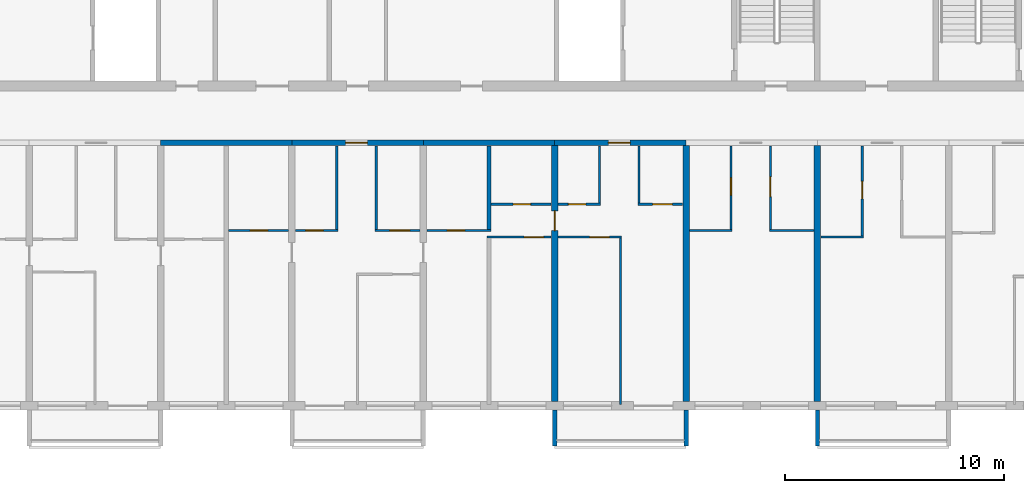
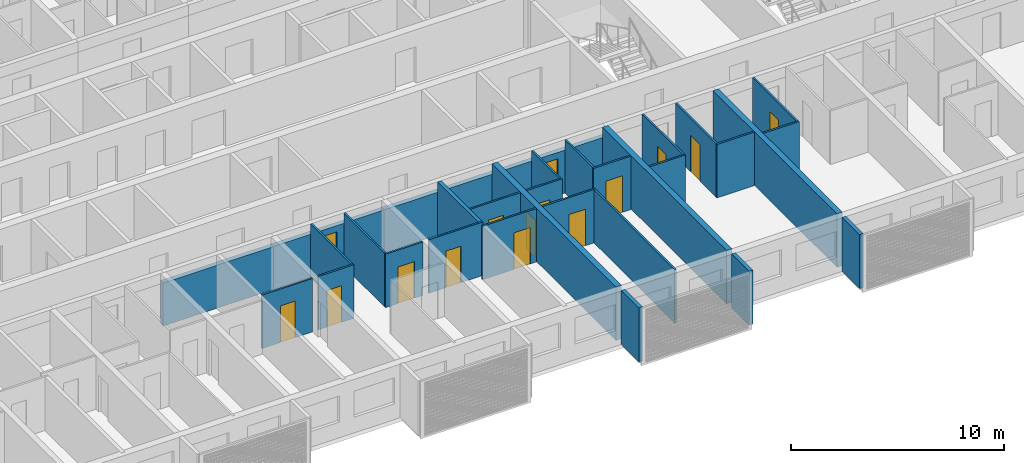
# One storey, part 5 of 32: 31 walls, 15 doors, 15 openings.
"""IFC4 building model written with IfcOpenShell, lengths in metres."""

import ifcopenshell
import ifcopenshell.guid

model = None  # the IFC model being written
_history = None  # IfcOwnerHistory: only IFC2X3 demands one
_inside = {}  # id of a spatial element -> (the spatial element, [elements in it])
_under = {}  # id of a project, library or spatial element -> (it, [spatial elements below it])
_declared = {}  # id of a project -> (the project, [libraries it declares])
_typed = {}  # id of a type object -> (the type object, [elements of that type])
_made_of = {}  # id of a material, layer set ... -> (it, [elements and type objects made of it])


def new_model(schema):
    """Start an empty IFC model of exactly this schema.

    Asked for "IFC4X3", IfcOpenShell would pick the latest addendum, in which some entities
    have other attributes; the version numbers below select the first issue.
    IFC2X3 requires an IfcOwnerHistory on every rooted entity: one is made here for all.
    """
    global model, _history
    if schema == "IFC4X3":
        model = ifcopenshell.file(schema_version=(4, 3, 0, 0))
    else:
        model = ifcopenshell.file(schema=schema)
    _inside.clear()
    _under.clear()
    _declared.clear()
    _typed.clear()
    _made_of.clear()
    _history = None
    if model.schema == "IFC2X3":
        org = make("IfcOrganization", Name="unknown")
        user = make(
            "IfcPersonAndOrganization",
            ThePerson=make("IfcPerson", FamilyName="unknown"),
            TheOrganization=org,
        )
        app = make(
            "IfcApplication",
            ApplicationDeveloper=org,
            Version="unknown",
            ApplicationFullName="unknown",
            ApplicationIdentifier="unknown",
        )
        _history = make(
            "IfcOwnerHistory",
            OwningUser=user,
            OwningApplication=app,
            ChangeAction="ADDED",
            CreationDate=0,
        )
    return model


def make(cls, **values):
    """One entity of the class cls with the attributes given. An attribute that is None is left unset."""
    return model.create_entity(
        cls, **{name: value for name, value in values.items() if value is not None}
    )


def rooted(cls, **values):
    """An entity with a GlobalId (a new one), such as an element, a storey or a relation."""
    return make(cls, GlobalId=ifcopenshell.guid.new(), OwnerHistory=_history, **values)


def si_unit(unit_type, name, prefix=None):
    """IfcSIUnit, for example si_unit("LENGTHUNIT", "METRE", prefix="MILLI")."""
    return make("IfcSIUnit", UnitType=unit_type, Prefix=prefix, Name=name)


def assignment(units):
    """IfcUnitAssignment: the units of a project."""
    return None if units is None else make("IfcUnitAssignment", Units=units)


def point(xyz):
    """IfcCartesianPoint."""
    return None if xyz is None else make("IfcCartesianPoint", Coordinates=xyz)


def direction(xyz):
    """IfcDirection."""
    return None if xyz is None else make("IfcDirection", DirectionRatios=xyz)


def frame(location, z_axis=None, x_axis=None):
    """IfcAxis2Placement3D, a coordinate frame: its origin and axes. An axis left out is left unset."""
    return make(
        "IfcAxis2Placement3D",
        Location=point(location),
        Axis=direction(z_axis),
        RefDirection=direction(x_axis),
    )


def frame_2d(location, x_axis=None):
    """IfcAxis2Placement2D, a coordinate frame in the plane: its origin and x axis."""
    return make(
        "IfcAxis2Placement2D", Location=point(location), RefDirection=direction(x_axis)
    )


def origin():
    """The frame at (0, 0, 0) with its axes left unset."""
    return frame((0.0, 0.0, 0.0))


def place(relative_to, where):
    """IfcLocalPlacement: puts the frame where relative to a parent placement (None: the world)."""
    return make(
        "IfcLocalPlacement", PlacementRelTo=relative_to, RelativePlacement=where
    )


def context(
    kind, dimensions, precision=None, world=None, true_north=None, identifier=None
):
    """IfcGeometricRepresentationContext, for example the 3D "Model" context."""
    return make(
        "IfcGeometricRepresentationContext",
        ContextIdentifier=identifier,
        ContextType=kind,
        CoordinateSpaceDimension=dimensions,
        Precision=precision,
        WorldCoordinateSystem=world,
        TrueNorth=true_north,
    )


def subcontext(parent, identifier, kind, view, scale=None):
    """IfcGeometricRepresentationSubContext, for example "Body" below "Model"."""
    return make(
        "IfcGeometricRepresentationSubContext",
        ContextIdentifier=identifier,
        ContextType=kind,
        ParentContext=parent,
        TargetScale=scale,
        TargetView=view,
    )


def project(units=None, contexts=None):
    """IfcProject with its units and contexts."""
    return rooted(
        "IfcProject",
        Name="project",
        RepresentationContexts=contexts,
        UnitsInContext=assignment(units),
    )


def spatial(cls, under=None, at=None, **own):
    """A site, building, storey or space (cls), placed at a placement, below another one or the project."""
    s = rooted(cls, ObjectPlacement=at, **own)
    if under is not None:
        _under.setdefault(under.id(), (under, []))[1].append(s)
    return s


def polyline(points):
    """IfcPolyline through the points."""
    return make("IfcPolyline", Points=[point(p) for p in points])


def profile(cls, at=None, kind="AREA", **sizes):
    """A parametric profile (cls). Its sizes go by their IFC names, for example OverallWidth=200.0."""
    return make(cls, ProfileType=kind, Position=at, **sizes)


def rectangle(**sizes):
    """IfcRectangleProfileDef."""
    return profile("IfcRectangleProfileDef", **sizes)


def outline(outer, holes=None, kind="AREA"):
    """IfcArbitraryClosedProfileDef: a profile drawn as a closed curve; with holes, ...WithVoids."""
    if holes is None:
        return make("IfcArbitraryClosedProfileDef", ProfileType=kind, OuterCurve=outer)
    return make(
        "IfcArbitraryProfileDefWithVoids",
        ProfileType=kind,
        OuterCurve=outer,
        InnerCurves=holes,
    )


def extrude(swept, where, along, depth):
    """IfcExtrudedAreaSolid: the profile swept, set in the frame where, extruded along a direction by depth."""
    return make(
        "IfcExtrudedAreaSolid",
        SweptArea=swept,
        Position=where,
        ExtrudedDirection=direction(along),
        Depth=depth,
    )


def shape(context_of_items, identifier, shape_type, items):
    """IfcShapeRepresentation: the items that make up one representation, for example the "Body"."""
    return make(
        "IfcShapeRepresentation",
        ContextOfItems=context_of_items,
        RepresentationIdentifier=identifier,
        RepresentationType=shape_type,
        Items=items,
    )


def source(mapping_origin, context_of_items, identifier, shape_type, items):
    """IfcRepresentationMap: a shape defined once, which mapped items show again and again."""
    return make(
        "IfcRepresentationMap",
        MappingOrigin=mapping_origin,
        MappedRepresentation=shape(context_of_items, identifier, shape_type, items),
    )


def transform(
    local_origin,
    x_axis=None,
    y_axis=None,
    z_axis=None,
    scale=None,
    scale2=None,
    scale3=None,
    uniform=True,
):
    """IfcCartesianTransformationOperator3D, or its non-uniform kind. x_axis, y_axis, z_axis: its Axis1, 2, 3."""
    if uniform:
        return make(
            "IfcCartesianTransformationOperator3D",
            Axis1=direction(x_axis),
            Axis2=direction(y_axis),
            LocalOrigin=point(local_origin),
            Scale=scale,
            Axis3=direction(z_axis),
        )
    return make(
        "IfcCartesianTransformationOperator3DnonUniform",
        Axis1=direction(x_axis),
        Axis2=direction(y_axis),
        LocalOrigin=point(local_origin),
        Scale=scale,
        Axis3=direction(z_axis),
        Scale2=scale2,
        Scale3=scale3,
    )


def mapped(mapping_source, mapping_target):
    """IfcMappedItem: shows the shape of a source again, moved by a transform."""
    return make(
        "IfcMappedItem", MappingSource=mapping_source, MappingTarget=mapping_target
    )


def material(Name=None, Category=None):
    """IfcMaterial."""
    return make("IfcMaterial", Name=Name, Category=Category)


def layer(
    of_material, thickness, ventilated=None, Name=None, Category=None, Priority=None
):
    """IfcMaterialLayer: one layer of a wall or slab, of a material (None: an air gap)."""
    return make(
        "IfcMaterialLayer",
        Material=of_material,
        LayerThickness=thickness,
        IsVentilated=ventilated,
        Name=Name,
        Category=Category,
        Priority=Priority,
    )


def layer_set(layers, Name=None):
    """IfcMaterialLayerSet."""
    return make("IfcMaterialLayerSet", MaterialLayers=layers, LayerSetName=Name)


def made_of(thing, what):
    """Note that an element or type object is made of a material, layer set ...; save() writes the relation."""
    if what is not None:
        _made_of.setdefault(what.id(), (what, []))[1].append(thing)
    return thing


def type_object(cls, material=None, **own):
    """A type object (cls), such as IfcWallType, which elements share."""
    return made_of(rooted(cls, **own), material)


def element(
    cls,
    number,
    at=None,
    inside=None,
    cuts=None,
    type_object=None,
    material=None,
    context=None,
    identifier="Body",
    shape_type=None,
    held_by="IfcProductDefinitionShape",
    body=None,
    shapes=None,
    **own,
):
    """One element of the class cls, such as IfcWall. Its Tag is "e" and its number.

    at: its placement. inside: the storey or other place that contains it. cuts: it is an
    opening in that element (IfcRelVoidsElement). A single representation is given by context,
    identifier, shape_type and body (its items); several are given by shapes. held_by: the class
    of the entity that holds the representations. save() writes the other relations.
    """
    e = rooted(cls, Tag="e%d" % number, ObjectPlacement=at, **own)
    if body is not None:
        shapes = [shape(context, identifier, shape_type, body)]
    if shapes is not None:
        e.Representation = make(held_by, Representations=shapes)
    if inside is not None:
        _inside.setdefault(inside.id(), (inside, []))[1].append(e)
    if cuts is not None:
        rooted(
            "IfcRelVoidsElement", RelatingBuildingElement=cuts, RelatedOpeningElement=e
        )
    if type_object is not None:
        _typed.setdefault(type_object.id(), (type_object, []))[1].append(e)
    return made_of(e, material)


def fill(opening, filler):
    """IfcRelFillsElement: the door or window that sits in an opening."""
    return rooted(
        "IfcRelFillsElement",
        RelatingOpeningElement=opening,
        RelatedBuildingElement=filler,
    )


def aggregate(whole, parts):
    """IfcRelAggregates: a whole, such as a stair, and the parts it consists of."""
    return rooted("IfcRelAggregates", RelatingObject=whole, RelatedObjects=parts)


def save(model, path):
    """Write the relations noted so far, then the file.

    IfcRelAggregates (storeys below a building ...), IfcRelContainedInSpatialStructure (elements
    in a storey), IfcRelDefinesByType, IfcRelAssociatesMaterial and IfcRelDeclares: one each for
    every whole, place, type object, material and project.
    """
    for whole, parts in _under.values():
        aggregate(whole, parts)
    for where, things in _inside.values():
        rooted(
            "IfcRelContainedInSpatialStructure",
            RelatedElements=things,
            RelatingStructure=where,
        )
    for kind, things in _typed.values():
        rooted("IfcRelDefinesByType", RelatedObjects=things, RelatingType=kind)
    for what, things in _made_of.values():
        rooted("IfcRelAssociatesMaterial", RelatedObjects=things, RelatingMaterial=what)
    for by, libraries in _declared.values():
        rooted("IfcRelDeclares", RelatingContext=by, RelatedDefinitions=libraries)
    model.write(path)


model = new_model("IFC4")

# Units and contexts
model_context = context("Model", 3, precision=1e-05, world=origin(), true_north=direction((0.0, 1.0)))
body_context = subcontext(model_context, "Body", "Model", "MODEL_VIEW")
ifc_project = project(units=[si_unit("LENGTHUNIT", "METRE"), si_unit("AREAUNIT", "SQUARE_METRE"), si_unit("VOLUMEUNIT", "CUBIC_METRE"), si_unit("PLANEANGLEUNIT", "RADIAN"), si_unit("MASSUNIT", "GRAM", prefix="KILO")], contexts=[model_context])

# Site, building, storey
site_placement = place(None, origin())
site = spatial("IfcSite", under=ifc_project, at=site_placement, CompositionType="ELEMENT")
building_placement = place(site_placement, origin())
building = spatial("IfcBuilding", under=site, at=building_placement, Name="Poui Terraces", CompositionType="ELEMENT")
storey_placement = place(building_placement, frame((0.0, 0.0, 152.10009765625)))
storey = spatial("IfcBuildingStorey", under=building, at=storey_placement, Name="L42", CompositionType="ELEMENT", Elevation=152.10009765625)

# Wall
ifc_material_1 = material(Name="Concrete 65 MPa", Category="concrete")
ifc_layer_1 = layer(ifc_material_1, 0.25)
ifc_layer_set_1 = layer_set([ifc_layer_1], Name="Concrete 65 MPa")
wall_type_1 = type_object("IfcWallType", Name="CORRIDOR WALL 250 65MPa", PredefinedType="SHEAR", material=ifc_layer_set_1)
wall_1_placement = place(storey_placement, frame((42.0, 12.0, 0.0), z_axis=(0.0, 0.0, 1.0), x_axis=(1.0, 0.0, 0.0)))
element("IfcWall", 1, at=wall_1_placement, inside=storey, type_object=wall_type_1, Name="CORRIDOR WALL LINE B BAY 6", PredefinedType="SHEAR", context=body_context, shape_type="SweptSolid", body=[
    extrude(rectangle(XDim=6.0, YDim=0.25, at=frame_2d((3.0, 0.0))), origin(), (0.0, 0.0, 1.0), 2.469970703125),
])

# Wall, opening, door
wall_2_placement = place(storey_placement, frame((48.0, 12.0, 0.0), z_axis=(0.0, 0.0, 1.0), x_axis=(1.0, 0.0, 0.0)))
wall_2 = element("IfcWall", 2, at=wall_2_placement, inside=storey, type_object=wall_type_1, Name="CORRIDOR WALL LINE B BAY 7", PredefinedType="SHEAR", context=body_context, shape_type="SweptSolid", body=[
    extrude(rectangle(XDim=6.0, YDim=0.25, at=frame_2d((3.0, 0.0))), origin(), (0.0, 0.0, 1.0), 2.469970703125),
])
opening_1_placement = place(wall_2_placement, frame((2.449951171875, 0.0, 0.0)))
opening_1 = element("IfcOpeningElement", 3, at=opening_1_placement, cuts=wall_2, Name="Opening FD30S", PredefinedType="OPENING", context=body_context, shape_type="SweptSolid", body=[
    extrude(rectangle(XDim=1.0, YDim=2.10009765625, at=frame_2d((0.5, 1.050048828125))), frame((0.0, 0.135009765625, 0.0), z_axis=(0.0, -1.0, 0.0), x_axis=(1.0, 0.0, 0.0)), (0.0, 0.0, 1.0), 0.27001953125),
])
ifc_material_2 = material(Name="Steel fire door", Category="steel")
door_type_1 = type_object("IfcDoorType", Name="FLAT ENTRANCE DOOR 1000 X 2100", OperationType="NOTDEFINED", PredefinedType="DOOR", material=ifc_material_2)
door_1_placement = place(opening_1_placement, frame((1.0, 0.0, 0.0), z_axis=(0.0, 0.0, 1.0), x_axis=(-1.0, 0.0, 0.0)))
door_1 = element("IfcDoor", 4, at=door_1_placement, inside=storey, type_object=door_type_1, Name="FLAT ENTRANCE DOOR 097", OperationType="SINGLE_SWING_RIGHT", OverallHeight=2.10009765625, OverallWidth=1.0, PredefinedType="DOOR", context=body_context, shape_type="SweptSolid", body=[
    extrude(rectangle(XDim=1.0, YDim=2.10009765625, at=frame_2d((0.5, 1.050048828125))), frame((0.0, 0.02490234375, 0.0), z_axis=(0.0, -1.0, 0.0), x_axis=(1.0, 0.0, 0.0)), (0.0, 0.0, 1.0), 0.050048828125),
])
fill(opening_1, door_1)

# Wall
wall_3_placement = place(storey_placement, frame((54.0, 12.0, 0.0), z_axis=(0.0, 0.0, 1.0), x_axis=(1.0, 0.0, 0.0)))
element("IfcWall", 5, at=wall_3_placement, inside=storey, type_object=wall_type_1, Name="CORRIDOR WALL LINE B BAY 8", PredefinedType="SHEAR", context=body_context, shape_type="SweptSolid", body=[
    extrude(rectangle(XDim=6.0, YDim=0.25, at=frame_2d((3.0, 0.0))), origin(), (0.0, 0.0, 1.0), 2.469970703125),
])

# Wall, opening, door
wall_4_placement = place(storey_placement, frame((60.0, 12.0, 0.0), z_axis=(0.0, 0.0, 1.0), x_axis=(1.0, 0.0, 0.0)))
wall_4 = element("IfcWall", 6, at=wall_4_placement, inside=storey, type_object=wall_type_1, Name="CORRIDOR WALL LINE B BAY 9", PredefinedType="SHEAR", context=body_context, shape_type="SweptSolid", body=[
    extrude(rectangle(XDim=6.0, YDim=0.25, at=frame_2d((3.0, 0.0))), origin(), (0.0, 0.0, 1.0), 2.469970703125),
])
opening_2_placement = place(wall_4_placement, frame((2.449951171875, 0.0, 0.0)))
opening_2 = element("IfcOpeningElement", 7, at=opening_2_placement, cuts=wall_4, Name="Opening FD30S", PredefinedType="OPENING", context=body_context, shape_type="SweptSolid", body=[
    extrude(rectangle(XDim=1.0, YDim=2.10009765625, at=frame_2d((0.5, 1.050048828125))), frame((0.0, 0.135009765625, 0.0), z_axis=(0.0, -1.0, 0.0), x_axis=(1.0, 0.0, 0.0)), (0.0, 0.0, 1.0), 0.27001953125),
])
door_2_placement = place(opening_2_placement, frame((1.0, 0.0, 0.0), z_axis=(0.0, 0.0, 1.0), x_axis=(-1.0, 0.0, 0.0)))
door_2 = element("IfcDoor", 8, at=door_2_placement, inside=storey, type_object=door_type_1, Name="FLAT ENTRANCE DOOR 106", OperationType="SINGLE_SWING_RIGHT", OverallHeight=2.10009765625, OverallWidth=1.0, PredefinedType="DOOR", context=body_context, shape_type="SweptSolid", body=[
    extrude(rectangle(XDim=1.0, YDim=2.10009765625, at=frame_2d((0.5, 1.050048828125))), frame((0.0, 0.02490234375, 0.0), z_axis=(0.0, -1.0, 0.0), x_axis=(1.0, 0.0, 0.0)), (0.0, 0.0, 1.0), 0.050048828125),
])
fill(opening_2, door_2)

ifc_layer_2 = layer(ifc_material_1, 0.300048828125)
ifc_layer_set_2 = layer_set([ifc_layer_2], Name="Concrete 65 MPa")
wall_type_2 = type_object("IfcWallType", Name="CROSS WALL 300 65MPa", PredefinedType="SHEAR", material=ifc_layer_set_2)
wall_5_placement = place(storey_placement, frame((60.0, 0.199951171875, 0.0), z_axis=(0.0, 0.0, 1.0), x_axis=(0.0, 1.0, 0.0)))
wall_5 = element("IfcWall", 9, at=wall_5_placement, inside=storey, type_object=wall_type_2, Name="CROSS WALL LINE 11 SOUTH", PredefinedType="SHEAR", context=body_context, shape_type="SweptSolid", body=[
    extrude(rectangle(XDim=11.675048828125, YDim=0.300048828125, at=frame_2d((5.83740234375, 0.0))), origin(), (0.0, 0.0, 1.0), 3.06982421875),
])
opening_3_placement = place(wall_5_placement, frame((7.800048828125, 0.0, 0.0)))
opening_3 = element("IfcOpeningElement", 10, at=opening_3_placement, cuts=wall_5, Name="Opening D90", PredefinedType="OPENING", context=body_context, shape_type="SweptSolid", body=[
    extrude(rectangle(XDim=0.89990234375, YDim=2.10009765625, at=frame_2d((0.449951171875, 1.050048828125))), frame((0.0, 0.16015625, 0.0), z_axis=(0.0, -1.0, 0.0), x_axis=(1.0, 0.0, 0.0)), (0.0, 0.0, 1.0), 0.320068359375),
])
ifc_material_3 = material(Name="Solid core timber door", Category="wood")
door_type_2 = type_object("IfcDoorType", Name="INTERNAL DOOR 900 X 2100", OperationType="NOTDEFINED", PredefinedType="DOOR", material=ifc_material_3)
door_3_placement = place(opening_3_placement, frame((0.89990234375, 0.0, 0.0), z_axis=(0.0, 0.0, 1.0), x_axis=(-1.0, 0.0, 0.0)))
door_3 = element("IfcDoor", 11, at=door_3_placement, inside=storey, type_object=door_type_2, Name="INTERNAL DOOR 103", OperationType="SINGLE_SWING_LEFT", OverallHeight=2.10009765625, OverallWidth=0.89990234375, PredefinedType="DOOR", context=body_context, shape_type="SweptSolid", body=[
    extrude(rectangle(XDim=0.89990234375, YDim=2.10009765625, at=frame_2d((0.449951171875, 1.050048828125))), frame((0.0, 0.02490234375, 0.0), z_axis=(0.0, -1.0, 0.0), x_axis=(1.0, 0.0, 0.0)), (0.0, 0.0, 1.0), 0.050048828125),
])
fill(opening_3, door_3)

# Walls
for number, where, z_axis, x_axis, name in (
    (12, (66.0, 0.199951171875, 0.0), (0.0, 0.0, 1.0), (0.0, 1.0, 0.0), "CROSS WALL LINE 12 SOUTH"),
    (13, (72.0, 0.199951171875, 0.0), (0.0, 0.0, 1.0), (0.0, 1.0, 0.0), "CROSS WALL LINE 13 SOUTH"),
):
    element("IfcWall", number, at=place(storey_placement, frame(where, z_axis=z_axis, x_axis=x_axis)), inside=storey, type_object=wall_type_2, Name=name, PredefinedType="SHEAR", context=body_context, shape_type="SweptSolid", body=[
        extrude(rectangle(XDim=11.675048828125, YDim=0.300048828125, at=frame_2d((5.83740234375, 0.0))), origin(), (0.0, 0.0, 1.0), 3.06982421875),
    ])

# Wall, opening, door
ifc_material_4 = material(Name="Plasterboard partition")
ifc_layer_3 = layer(ifc_material_4, 0.10009765625)
ifc_layer_set_3 = layer_set([ifc_layer_3], Name="Plasterboard partition")
wall_type_3 = type_object("IfcWallType", Name="FLAT PARTITION 100", PredefinedType="PARTITIONING", material=ifc_layer_set_3)
wall_6_placement = place(storey_placement, frame((56.89990234375, 7.699951171875, 0.0), z_axis=(0.0, 0.0, 1.0), x_axis=(1.0, 0.0, 0.0)))
wall_6 = element("IfcWall", 14, at=wall_6_placement, inside=storey, type_object=wall_type_3, Name="FLAT PARTITION 100", PredefinedType="PARTITIONING", context=body_context, shape_type="SweptSolid", body=[
    extrude(rectangle(XDim=2.940185546875, YDim=0.10009765625, at=frame_2d((1.47021484375, 0.0))), origin(), (0.0, 0.0, 1.0), 3.06982421875),
])
opening_4_placement = place(wall_6_placement, frame((1.699951171875, 0.0, 0.0)))
opening_4 = element("IfcOpeningElement", 15, at=opening_4_placement, cuts=wall_6, Name="Opening D90", PredefinedType="OPENING", context=body_context, shape_type="SweptSolid", body=[
    extrude(rectangle(XDim=0.89990234375, YDim=2.10009765625, at=frame_2d((0.449951171875, 1.050048828125))), frame((0.0, 0.06005859375, 0.0), z_axis=(0.0, -1.0, 0.0), x_axis=(1.0, 0.0, 0.0)), (0.0, 0.0, 1.0), 0.1201171875),
])
door_4_placement = place(opening_4_placement, frame((0.89990234375, 0.0, 0.0), z_axis=(0.0, 0.0, 1.0), x_axis=(-1.0, 0.0, 0.0)))
door_4 = element("IfcDoor", 16, at=door_4_placement, inside=storey, type_object=door_type_2, Name="INTERNAL DOOR 102", OperationType="SINGLE_SWING_LEFT", OverallHeight=2.10009765625, OverallWidth=0.89990234375, PredefinedType="DOOR", context=body_context, shape_type="SweptSolid", body=[
    extrude(rectangle(XDim=0.89990234375, YDim=2.10009765625, at=frame_2d((0.449951171875, 1.050048828125))), frame((0.0, 0.02490234375, 0.0), z_axis=(0.0, -1.0, 0.0), x_axis=(1.0, 0.0, 0.0)), (0.0, 0.0, 1.0), 0.050048828125),
])
fill(opening_4, door_4)

wall_7_placement = place(storey_placement, frame((60.159912109375, 7.699951171875, 0.0), z_axis=(0.0, 0.0, 1.0), x_axis=(1.0, 0.0, 0.0)))
wall_7 = element("IfcWall", 17, at=wall_7_placement, inside=storey, type_object=wall_type_3, Name="FLAT PARTITION 100", PredefinedType="PARTITIONING", context=body_context, shape_type="SweptSolid", body=[
    extrude(rectangle(XDim=2.89013671875, YDim=0.10009765625, at=frame_2d((1.445068359375, 0.0))), origin(), (0.0, 0.0, 1.0), 3.06982421875),
])
opening_5_placement = place(wall_7_placement, frame((1.43994140625, 0.0, 0.0)))
opening_5 = element("IfcOpeningElement", 18, at=opening_5_placement, cuts=wall_7, Name="Opening D90", PredefinedType="OPENING", context=body_context, shape_type="SweptSolid", body=[
    extrude(rectangle(XDim=0.89990234375, YDim=2.10009765625, at=frame_2d((0.449951171875, 1.050048828125))), frame((0.0, 0.06005859375, 0.0), z_axis=(0.0, -1.0, 0.0), x_axis=(1.0, 0.0, 0.0)), (0.0, 0.0, 1.0), 0.1201171875),
])
door_5_placement = place(opening_5_placement, origin())
door_5 = element("IfcDoor", 19, at=door_5_placement, inside=storey, type_object=door_type_2, Name="INTERNAL DOOR 105", OperationType="SINGLE_SWING_LEFT", OverallHeight=2.10009765625, OverallWidth=0.89990234375, PredefinedType="DOOR", context=body_context, shape_type="SweptSolid", body=[
    extrude(rectangle(XDim=0.89990234375, YDim=2.10009765625, at=frame_2d((0.449951171875, 1.050048828125))), frame((0.0, 0.02490234375, 0.0), z_axis=(0.0, -1.0, 0.0), x_axis=(1.0, 0.0, 0.0)), (0.0, 0.0, 1.0), 0.050048828125),
])
fill(opening_5, door_5)

# Wall
wall_8_placement = place(storey_placement, frame((72.159912109375, 7.699951171875, 0.0), z_axis=(0.0, 0.0, 1.0), x_axis=(1.0, 0.0, 0.0)))
element("IfcWall", 20, at=wall_8_placement, inside=storey, type_object=wall_type_3, Name="FLAT PARTITION 100", PredefinedType="PARTITIONING", context=body_context, shape_type="SweptSolid", body=[
    extrude(rectangle(XDim=1.940185546875, YDim=0.10009765625, at=frame_2d((0.97021484375, 0.0))), origin(), (0.0, 0.0, 1.0), 3.06982421875),
])

# Wall, opening, door
wall_9_placement = place(storey_placement, frame((45.10009765625, 8.0, 0.0), z_axis=(0.0, 0.0, 1.0), x_axis=(1.0, 0.0, 0.0)))
wall_9 = element("IfcWall", 21, at=wall_9_placement, inside=storey, type_object=wall_type_3, Name="FLAT PARTITION 100", PredefinedType="PARTITIONING", context=body_context, shape_type="SweptSolid", body=[
    extrude(rectangle(XDim=2.739990234375, YDim=0.10009765625, at=frame_2d((1.3701171875, 0.0))), origin(), (0.0, 0.0, 1.0), 3.06982421875),
])
opening_6_placement = place(wall_9_placement, frame((1.0, 0.0, 0.0)))
opening_6 = element("IfcOpeningElement", 22, at=opening_6_placement, cuts=wall_9, Name="Opening D80", PredefinedType="OPENING", context=body_context, shape_type="SweptSolid", body=[
    extrude(rectangle(XDim=0.800048828125, YDim=2.10009765625, at=frame_2d((0.39990234375, 1.050048828125))), frame((0.0, 0.06005859375, 0.0), z_axis=(0.0, -1.0, 0.0), x_axis=(1.0, 0.0, 0.0)), (0.0, 0.0, 1.0), 0.1201171875),
])
door_type_3 = type_object("IfcDoorType", Name="BATHROOM, LAUNDRY AND STORE DOOR 800 X 2100", OperationType="NOTDEFINED", PredefinedType="DOOR", material=ifc_material_3)
door_6_placement = place(opening_6_placement, origin())
door_6 = element("IfcDoor", 23, at=door_6_placement, inside=storey, type_object=door_type_3, Name="BATHROOM, LAUNDRY AND STORE DOOR 093", OperationType="SINGLE_SWING_LEFT", OverallHeight=2.10009765625, OverallWidth=0.800048828125, PredefinedType="DOOR", context=body_context, shape_type="SweptSolid", body=[
    extrude(rectangle(XDim=0.800048828125, YDim=2.10009765625, at=frame_2d((0.39990234375, 1.050048828125))), frame((0.0, 0.02490234375, 0.0), z_axis=(0.0, -1.0, 0.0), x_axis=(1.0, 0.0, 0.0)), (0.0, 0.0, 1.0), 0.050048828125),
])
fill(opening_6, door_6)

wall_10_placement = place(storey_placement, frame((48.159912109375, 8.0, 0.0), z_axis=(0.0, 0.0, 1.0), x_axis=(1.0, 0.0, 0.0)))
wall_10 = element("IfcWall", 24, at=wall_10_placement, inside=storey, type_object=wall_type_3, Name="FLAT PARTITION 100", PredefinedType="PARTITIONING", context=body_context, shape_type="SweptSolid", body=[
    extrude(rectangle(XDim=1.940185546875, YDim=0.10009765625, at=frame_2d((0.97021484375, 0.0))), origin(), (0.0, 0.0, 1.0), 3.06982421875),
])
opening_7_placement = place(wall_10_placement, frame((0.465087890625, 0.0, 0.0)))
opening_7 = element("IfcOpeningElement", 25, at=opening_7_placement, cuts=wall_10, Name="Opening D80", PredefinedType="OPENING", context=body_context, shape_type="SweptSolid", body=[
    extrude(rectangle(XDim=0.800048828125, YDim=2.10009765625, at=frame_2d((0.39990234375, 1.050048828125))), frame((0.0, 0.06005859375, 0.0), z_axis=(0.0, -1.0, 0.0), x_axis=(1.0, 0.0, 0.0)), (0.0, 0.0, 1.0), 0.1201171875),
])
door_7_placement = place(opening_7_placement, origin())
door_7 = element("IfcDoor", 26, at=door_7_placement, inside=storey, type_object=door_type_3, Name="BATHROOM, LAUNDRY AND STORE DOOR 096", OperationType="SINGLE_SWING_LEFT", OverallHeight=2.10009765625, OverallWidth=0.800048828125, PredefinedType="DOOR", context=body_context, shape_type="SweptSolid", body=[
    extrude(rectangle(XDim=0.800048828125, YDim=2.10009765625, at=frame_2d((0.39990234375, 1.050048828125))), frame((0.0, 0.02490234375, 0.0), z_axis=(0.0, -1.0, 0.0), x_axis=(1.0, 0.0, 0.0)), (0.0, 0.0, 1.0), 0.050048828125),
])
fill(opening_7, door_7)

wall_11_placement = place(storey_placement, frame((51.800048828125, 8.0, 0.0), z_axis=(0.0, 0.0, 1.0), x_axis=(1.0, 0.0, 0.0)))
wall_11 = element("IfcWall", 27, at=wall_11_placement, inside=storey, type_object=wall_type_3, Name="FLAT PARTITION 100", PredefinedType="PARTITIONING", context=body_context, shape_type="SweptSolid", body=[
    extrude(rectangle(XDim=2.0400390625, YDim=0.10009765625, at=frame_2d((1.02001953125, 0.0))), origin(), (0.0, 0.0, 1.0), 3.06982421875),
])
opening_8_placement = place(wall_11_placement, frame((0.675048828125, 0.0, 0.0)))
opening_8 = element("IfcOpeningElement", 28, at=opening_8_placement, cuts=wall_11, Name="Opening D90", PredefinedType="OPENING", context=body_context, shape_type="SweptSolid", body=[
    extrude(rectangle(XDim=0.89990234375, YDim=2.10009765625, at=frame_2d((0.449951171875, 1.050048828125))), frame((0.0, 0.06005859375, 0.0), z_axis=(0.0, -1.0, 0.0), x_axis=(1.0, 0.0, 0.0)), (0.0, 0.0, 1.0), 0.1201171875),
])
door_8_placement = place(opening_8_placement, origin())
door_8 = element("IfcDoor", 29, at=door_8_placement, inside=storey, type_object=door_type_2, Name="INTERNAL DOOR 098", OperationType="SINGLE_SWING_RIGHT", OverallHeight=2.10009765625, OverallWidth=0.89990234375, PredefinedType="DOOR", context=body_context, shape_type="SweptSolid", body=[
    extrude(rectangle(XDim=0.89990234375, YDim=2.10009765625, at=frame_2d((0.449951171875, 1.050048828125))), frame((0.0, 0.02490234375, 0.0), z_axis=(0.0, -1.0, 0.0), x_axis=(1.0, 0.0, 0.0)), (0.0, 0.0, 1.0), 0.050048828125),
])
fill(opening_8, door_8)

wall_12_placement = place(storey_placement, frame((54.159912109375, 8.0, 0.0), z_axis=(0.0, 0.0, 1.0), x_axis=(1.0, 0.0, 0.0)))
wall_12 = element("IfcWall", 30, at=wall_12_placement, inside=storey, type_object=wall_type_3, Name="FLAT PARTITION 100", PredefinedType="PARTITIONING", context=body_context, shape_type="SweptSolid", body=[
    extrude(rectangle(XDim=2.940185546875, YDim=0.10009765625, at=frame_2d((1.47021484375, 0.0))), origin(), (0.0, 0.0, 1.0), 3.06982421875),
])
opening_9_placement = place(wall_12_placement, frame((0.93994140625, 0.0, 0.0)))
opening_9 = element("IfcOpeningElement", 31, at=opening_9_placement, cuts=wall_12, Name="Opening D80", PredefinedType="OPENING", context=body_context, shape_type="SweptSolid", body=[
    extrude(rectangle(XDim=0.800048828125, YDim=2.10009765625, at=frame_2d((0.39990234375, 1.050048828125))), frame((0.0, 0.06005859375, 0.0), z_axis=(0.0, -1.0, 0.0), x_axis=(1.0, 0.0, 0.0)), (0.0, 0.0, 1.0), 0.1201171875),
])
door_9_placement = place(opening_9_placement, origin())
door_9 = element("IfcDoor", 32, at=door_9_placement, inside=storey, type_object=door_type_3, Name="BATHROOM, LAUNDRY AND STORE DOOR 094", OperationType="SINGLE_SWING_LEFT", OverallHeight=2.10009765625, OverallWidth=0.800048828125, PredefinedType="DOOR", context=body_context, shape_type="SweptSolid", body=[
    extrude(rectangle(XDim=0.800048828125, YDim=2.10009765625, at=frame_2d((0.39990234375, 1.050048828125))), frame((0.0, 0.02490234375, 0.0), z_axis=(0.0, -1.0, 0.0), x_axis=(1.0, 0.0, 0.0)), (0.0, 0.0, 1.0), 0.050048828125),
])
fill(opening_9, door_9)

# Walls
wall_13_placement = place(storey_placement, frame((66.159912109375, 8.0, 0.0), z_axis=(0.0, 0.0, 1.0), x_axis=(1.0, 0.0, 0.0)))
element("IfcWall", 33, at=wall_13_placement, inside=storey, type_object=wall_type_3, Name="FLAT PARTITION 100", PredefinedType="PARTITIONING", context=body_context, shape_type="SweptSolid", body=[
    extrude(rectangle(XDim=1.940185546875, YDim=0.10009765625, at=frame_2d((0.97021484375, 0.0))), origin(), (0.0, 0.0, 1.0), 3.06982421875),
])
wall_14_placement = place(storey_placement, frame((69.800048828125, 8.0, 0.0), z_axis=(0.0, 0.0, 1.0), x_axis=(1.0, 0.0, 0.0)))
element("IfcWall", 34, at=wall_14_placement, inside=storey, type_object=wall_type_3, Name="FLAT PARTITION 100", PredefinedType="PARTITIONING", context=body_context, shape_type="SweptSolid", body=[
    extrude(rectangle(XDim=2.0400390625, YDim=0.10009765625, at=frame_2d((1.02001953125, 0.0))), origin(), (0.0, 0.0, 1.0), 3.06982421875),
])

# Wall, opening, door
wall_15_placement = place(storey_placement, frame((57.10009765625, 9.199951171875, 0.0), z_axis=(0.0, 0.0, 1.0), x_axis=(1.0, 0.0, 0.0)))
wall_15 = element("IfcWall", 35, at=wall_15_placement, inside=storey, type_object=wall_type_3, Name="FLAT PARTITION 100", PredefinedType="PARTITIONING", context=body_context, shape_type="SweptSolid", body=[
    extrude(rectangle(XDim=2.739990234375, YDim=0.10009765625, at=frame_2d((1.3701171875, 0.0))), origin(), (0.0, 0.0, 1.0), 3.06982421875),
])
opening_10_placement = place(wall_15_placement, frame((1.0, 0.0, 0.0)))
opening_10 = element("IfcOpeningElement", 36, at=opening_10_placement, cuts=wall_15, Name="Opening D80", PredefinedType="OPENING", context=body_context, shape_type="SweptSolid", body=[
    extrude(rectangle(XDim=0.800048828125, YDim=2.10009765625, at=frame_2d((0.39990234375, 1.050048828125))), frame((0.0, 0.06005859375, 0.0), z_axis=(0.0, -1.0, 0.0), x_axis=(1.0, 0.0, 0.0)), (0.0, 0.0, 1.0), 0.1201171875),
])
door_10_placement = place(opening_10_placement, origin())
door_10 = element("IfcDoor", 37, at=door_10_placement, inside=storey, type_object=door_type_3, Name="BATHROOM, LAUNDRY AND STORE DOOR 101", OperationType="SINGLE_SWING_LEFT", OverallHeight=2.10009765625, OverallWidth=0.800048828125, PredefinedType="DOOR", context=body_context, shape_type="SweptSolid", body=[
    extrude(rectangle(XDim=0.800048828125, YDim=2.10009765625, at=frame_2d((0.39990234375, 1.050048828125))), frame((0.0, 0.02490234375, 0.0), z_axis=(0.0, -1.0, 0.0), x_axis=(1.0, 0.0, 0.0)), (0.0, 0.0, 1.0), 0.050048828125),
])
fill(opening_10, door_10)

wall_16_placement = place(storey_placement, frame((60.159912109375, 9.199951171875, 0.0), z_axis=(0.0, 0.0, 1.0), x_axis=(1.0, 0.0, 0.0)))
wall_16 = element("IfcWall", 38, at=wall_16_placement, inside=storey, type_object=wall_type_3, Name="FLAT PARTITION 100", PredefinedType="PARTITIONING", context=body_context, shape_type="SweptSolid", body=[
    extrude(rectangle(XDim=1.940185546875, YDim=0.10009765625, at=frame_2d((0.97021484375, 0.0))), origin(), (0.0, 0.0, 1.0), 3.06982421875),
])
opening_11_placement = place(wall_16_placement, frame((0.465087890625, 0.0, 0.0)))
opening_11 = element("IfcOpeningElement", 39, at=opening_11_placement, cuts=wall_16, Name="Opening D80", PredefinedType="OPENING", context=body_context, shape_type="SweptSolid", body=[
    extrude(rectangle(XDim=0.800048828125, YDim=2.10009765625, at=frame_2d((0.39990234375, 1.050048828125))), frame((0.0, 0.06005859375, 0.0), z_axis=(0.0, -1.0, 0.0), x_axis=(1.0, 0.0, 0.0)), (0.0, 0.0, 1.0), 0.1201171875),
])
door_11_placement = place(opening_11_placement, origin())
door_11 = element("IfcDoor", 40, at=door_11_placement, inside=storey, type_object=door_type_3, Name="BATHROOM, LAUNDRY AND STORE DOOR 104", OperationType="SINGLE_SWING_RIGHT", OverallHeight=2.10009765625, OverallWidth=0.800048828125, PredefinedType="DOOR", context=body_context, shape_type="SweptSolid", body=[
    extrude(rectangle(XDim=0.800048828125, YDim=2.10009765625, at=frame_2d((0.39990234375, 1.050048828125))), frame((0.0, 0.02490234375, 0.0), z_axis=(0.0, -1.0, 0.0), x_axis=(1.0, 0.0, 0.0)), (0.0, 0.0, 1.0), 0.050048828125),
])
fill(opening_11, door_11)

wall_17_placement = place(storey_placement, frame((63.800048828125, 9.199951171875, 0.0), z_axis=(0.0, 0.0, 1.0), x_axis=(1.0, 0.0, 0.0)))
wall_17 = element("IfcWall", 41, at=wall_17_placement, inside=storey, type_object=wall_type_3, Name="FLAT PARTITION 100", PredefinedType="PARTITIONING", context=body_context, shape_type="SweptSolid", body=[
    extrude(rectangle(XDim=2.0400390625, YDim=0.10009765625, at=frame_2d((1.02001953125, 0.0))), origin(), (0.0, 0.0, 1.0), 3.06982421875),
])
opening_12_placement = place(wall_17_placement, frame((0.675048828125, 0.0, 0.0)))
opening_12 = element("IfcOpeningElement", 42, at=opening_12_placement, cuts=wall_17, Name="Opening D90", PredefinedType="OPENING", context=body_context, shape_type="SweptSolid", body=[
    extrude(rectangle(XDim=0.89990234375, YDim=2.10009765625, at=frame_2d((0.449951171875, 1.050048828125))), frame((0.0, 0.06005859375, 0.0), z_axis=(0.0, -1.0, 0.0), x_axis=(1.0, 0.0, 0.0)), (0.0, 0.0, 1.0), 0.1201171875),
])
door_12_placement = place(opening_12_placement, origin())
door_12 = element("IfcDoor", 43, at=door_12_placement, inside=storey, type_object=door_type_2, Name="INTERNAL DOOR 107", OperationType="SINGLE_SWING_LEFT", OverallHeight=2.10009765625, OverallWidth=0.89990234375, PredefinedType="DOOR", context=body_context, shape_type="SweptSolid", body=[
    extrude(rectangle(XDim=0.89990234375, YDim=2.10009765625, at=frame_2d((0.449951171875, 1.050048828125))), frame((0.0, 0.02490234375, 0.0), z_axis=(0.0, -1.0, 0.0), x_axis=(1.0, 0.0, 0.0)), (0.0, 0.0, 1.0), 0.050048828125),
])
fill(opening_12, door_12)

# Walls
for number, where, z_axis, x_axis, name in (
    (44, (50.050048828125, 8.050048828125, 0.0), (0.0, 0.0, 1.0), (0.0, 1.0, 0.0), "FLAT PARTITION 100"),
    (45, (51.85009765625, 8.050048828125, 0.0), (0.0, 0.0, 1.0), (0.0, 1.0, 0.0), "FLAT PARTITION 100"),
):
    element("IfcWall", number, at=place(storey_placement, frame(where, z_axis=z_axis, x_axis=x_axis)), inside=storey, type_object=wall_type_3, Name=name, PredefinedType="PARTITIONING", context=body_context, shape_type="SweptSolid", body=[
        extrude(rectangle(XDim=3.81494140625, YDim=0.10009765625, at=frame_2d((1.907470703125, 0.0))), origin(), (0.0, 0.0, 1.0), 3.06982421875),
    ])
wall_18_placement = place(storey_placement, frame((62.050048828125, 9.25, 0.0), z_axis=(0.0, 0.0, 1.0), x_axis=(0.0, 1.0, 0.0)))
element("IfcWall", 46, at=wall_18_placement, inside=storey, type_object=wall_type_3, Name="FLAT PARTITION 100", PredefinedType="PARTITIONING", context=body_context, shape_type="SweptSolid", body=[
    extrude(rectangle(XDim=2.614990234375, YDim=0.10009765625, at=frame_2d((1.3076171875, 0.0))), origin(), (0.0, 0.0, 1.0), 3.06982421875),
])
wall_19_placement = place(storey_placement, frame((63.0, 0.06005859375, 0.0), z_axis=(0.0, 0.0, 1.0), x_axis=(0.0, 1.0, 0.0)))
element("IfcWall", 47, at=wall_19_placement, inside=storey, type_object=wall_type_3, Name="FLAT PARTITION 100", PredefinedType="PARTITIONING", context=body_context, shape_type="SweptSolid", body=[
    extrude(rectangle(XDim=7.58984375, YDim=0.10009765625, at=frame_2d((3.794921875, 0.0))), origin(), (0.0, 0.0, 1.0), 3.06982421875),
])
wall_20_placement = place(storey_placement, frame((63.85009765625, 9.25, 0.0), z_axis=(0.0, 0.0, 1.0), x_axis=(0.0, 1.0, 0.0)))
element("IfcWall", 48, at=wall_20_placement, inside=storey, type_object=wall_type_3, Name="FLAT PARTITION 100", PredefinedType="PARTITIONING", context=body_context, shape_type="SweptSolid", body=[
    extrude(rectangle(XDim=2.614990234375, YDim=0.10009765625, at=frame_2d((1.3076171875, 0.0))), origin(), (0.0, 0.0, 1.0), 3.06982421875),
])

# Wall, opening, door
wall_21_placement = place(storey_placement, frame((68.050048828125, 8.050048828125, 0.0), z_axis=(0.0, 0.0, 1.0), x_axis=(0.0, 1.0, 0.0)))
wall_21 = element("IfcWall", 49, at=wall_21_placement, inside=storey, type_object=wall_type_3, Name="FLAT PARTITION 100", PredefinedType="PARTITIONING", context=body_context, shape_type="SweptSolid", body=[
    extrude(rectangle(XDim=3.81494140625, YDim=0.10009765625, at=frame_2d((1.907470703125, 0.0))), origin(), (0.0, 0.0, 1.0), 3.06982421875),
])
opening_13_placement = place(wall_21_placement, frame((1.550048828125, 0.0, 0.0)))
opening_13 = element("IfcOpeningElement", 50, at=opening_13_placement, cuts=wall_21, Name="Opening D80", PredefinedType="OPENING", context=body_context, shape_type="SweptSolid", body=[
    extrude(rectangle(XDim=0.800048828125, YDim=2.10009765625, at=frame_2d((0.39990234375, 1.050048828125))), frame((0.0, 0.06005859375, 0.0), z_axis=(0.0, -1.0, 0.0), x_axis=(1.0, 0.0, 0.0)), (0.0, 0.0, 1.0), 0.1201171875),
])
door_13_placement = place(opening_13_placement, origin())
door_13 = element("IfcDoor", 51, at=door_13_placement, inside=storey, type_object=door_type_3, Name="BATHROOM, LAUNDRY AND STORE DOOR 108", OperationType="SINGLE_SWING_RIGHT", OverallHeight=2.10009765625, OverallWidth=0.800048828125, PredefinedType="DOOR", context=body_context, shape_type="SweptSolid", body=[
    extrude(rectangle(XDim=0.800048828125, YDim=2.10009765625, at=frame_2d((0.39990234375, 1.050048828125))), frame((0.0, 0.02490234375, 0.0), z_axis=(0.0, -1.0, 0.0), x_axis=(1.0, 0.0, 0.0)), (0.0, 0.0, 1.0), 0.050048828125),
])
fill(opening_13, door_13)

wall_22_placement = place(storey_placement, frame((69.85009765625, 8.050048828125, 0.0), z_axis=(0.0, 0.0, 1.0), x_axis=(0.0, 1.0, 0.0)))
wall_22 = element("IfcWall", 52, at=wall_22_placement, inside=storey, type_object=wall_type_3, Name="FLAT PARTITION 100", PredefinedType="PARTITIONING", context=body_context, shape_type="SweptSolid", body=[
    extrude(rectangle(XDim=3.81494140625, YDim=0.10009765625, at=frame_2d((1.907470703125, 0.0))), origin(), (0.0, 0.0, 1.0), 3.06982421875),
])
opening_14_placement = place(wall_22_placement, frame((1.5, 0.0, 0.0)))
opening_14 = element("IfcOpeningElement", 53, at=opening_14_placement, cuts=wall_22, Name="Opening D90", PredefinedType="OPENING", context=body_context, shape_type="SweptSolid", body=[
    extrude(rectangle(XDim=0.89990234375, YDim=2.10009765625, at=frame_2d((0.449951171875, 1.050048828125))), frame((0.0, 0.06005859375, 0.0), z_axis=(0.0, -1.0, 0.0), x_axis=(1.0, 0.0, 0.0)), (0.0, 0.0, 1.0), 0.1201171875),
])
door_14_placement = place(opening_14_placement, frame((0.89990234375, 0.0, 0.0), z_axis=(0.0, 0.0, 1.0), x_axis=(-1.0, 0.0, 0.0)))
door_14 = element("IfcDoor", 54, at=door_14_placement, inside=storey, type_object=door_type_2, Name="INTERNAL DOOR 110", OperationType="SINGLE_SWING_RIGHT", OverallHeight=2.10009765625, OverallWidth=0.89990234375, PredefinedType="DOOR", context=body_context, shape_type="SweptSolid", body=[
    extrude(rectangle(XDim=0.89990234375, YDim=2.10009765625, at=frame_2d((0.449951171875, 1.050048828125))), frame((0.0, 0.02490234375, 0.0), z_axis=(0.0, -1.0, 0.0), x_axis=(1.0, 0.0, 0.0)), (0.0, 0.0, 1.0), 0.050048828125),
])
fill(opening_14, door_14)

wall_23_placement = place(storey_placement, frame((74.050048828125, 7.75, 0.0), z_axis=(0.0, 0.0, 1.0), x_axis=(0.0, 1.0, 0.0)))
wall_23 = element("IfcWall", 55, at=wall_23_placement, inside=storey, type_object=wall_type_3, Name="FLAT PARTITION 100", PredefinedType="PARTITIONING", context=body_context, shape_type="SweptSolid", body=[
    extrude(rectangle(XDim=4.114990234375, YDim=0.10009765625, at=frame_2d((2.0576171875, 0.0))), origin(), (0.0, 0.0, 1.0), 3.06982421875),
])
opening_15_placement = place(wall_23_placement, frame((1.699951171875, 0.0, 0.0)))
opening_15 = element("IfcOpeningElement", 56, at=opening_15_placement, cuts=wall_23, Name="Opening D80", PredefinedType="OPENING", context=body_context, shape_type="SweptSolid", body=[
    extrude(rectangle(XDim=0.800048828125, YDim=2.10009765625, at=frame_2d((0.39990234375, 1.050048828125))), frame((0.0, 0.06005859375, 0.0), z_axis=(0.0, -1.0, 0.0), x_axis=(1.0, 0.0, 0.0)), (0.0, 0.0, 1.0), 0.1201171875),
])
door_15_placement = place(opening_15_placement, origin())
door_15 = element("IfcDoor", 57, at=door_15_placement, inside=storey, type_object=door_type_3, Name="BATHROOM, LAUNDRY AND STORE DOOR 111", OperationType="SINGLE_SWING_LEFT", OverallHeight=2.10009765625, OverallWidth=0.800048828125, PredefinedType="DOOR", context=body_context, shape_type="SweptSolid", body=[
    extrude(rectangle(XDim=0.800048828125, YDim=2.10009765625, at=frame_2d((0.39990234375, 1.050048828125))), frame((0.0, 0.02490234375, 0.0), z_axis=(0.0, -1.0, 0.0), x_axis=(1.0, 0.0, 0.0)), (0.0, 0.0, 1.0), 0.050048828125),
])
fill(opening_15, door_15)

# Walls
ifc_material_5 = material(Name="Fire-rated masonry wall", Category="masonry")
ifc_layer_4 = layer(ifc_material_5, 0.199951171875)
ifc_layer_set_4 = layer_set([ifc_layer_4], Name="Fire-rated masonry wall")
wall_type_4 = type_object("IfcWallType", Name="FLAT PARTY WALL 200", PredefinedType="PARTITIONING", material=ifc_layer_set_4)
wall_24_placement = place(storey_placement, frame((57.0, 8.050048828125, 0.0), z_axis=(0.0, 0.0, 1.0), x_axis=(0.0, 1.0, 0.0)))
element("IfcWall", 58, at=wall_24_placement, inside=storey, type_object=wall_type_4, Name="FLAT PARTY WALL 200", PredefinedType="PARTITIONING", context=body_context, shape_type="SweptSolid", body=[
    extrude(rectangle(XDim=3.81494140625, YDim=0.199951171875, at=frame_2d((1.907470703125, 0.0))), origin(), (0.0, 0.0, 1.0), 3.06982421875),
])
ifc_material_6 = material(Name="Precast concrete 40 MPa", Category="concrete")
ifc_layer_5 = layer(ifc_material_6, 0.199951171875)
ifc_layer_set_5 = layer_set([ifc_layer_5], Name="Precast concrete 40 MPa")
wall_type_5 = type_object("IfcWallType", Name="REAR FIN 200", PredefinedType="STANDARD", material=ifc_layer_set_5)
shared_shape = source(origin(), body_context, "Body", "SweptSolid", [
    extrude(outline(polyline([(0.0, 0.0), (0.2001953125, 0.0), (0.2001953125, 1.650146484375), (0.0, 1.650146484375), (0.0, 0.0)])), origin(), (0.0, 0.0, 1.0), 3.099853515625),
])
for number, where, name in (
    (59, (59.89990234375, -1.85009765625, 0.0), "REAR FIN"),
    (60, (65.89990234375, -1.85009765625, 0.0), "REAR FIN"),
    (61, (71.89990234375, -1.85009765625, 0.0), "REAR FIN"),
):
    element("IfcWall", number, at=place(storey_placement, frame(where)), inside=storey, type_object=wall_type_5, Name=name, PredefinedType="STANDARD", context=body_context, shape_type="MappedRepresentation", body=[
        mapped(shared_shape, transform((0.0, 0.0, 0.0))),
    ])

save(model, "model.ifc")
